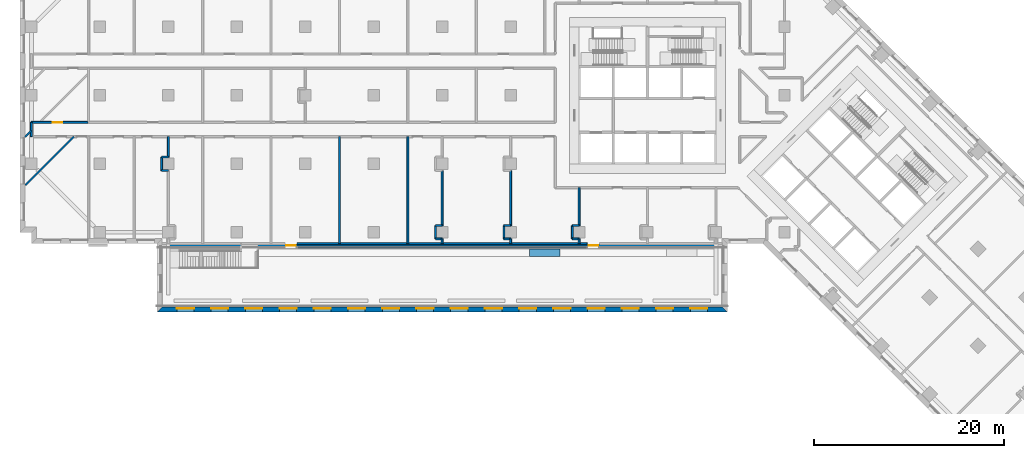
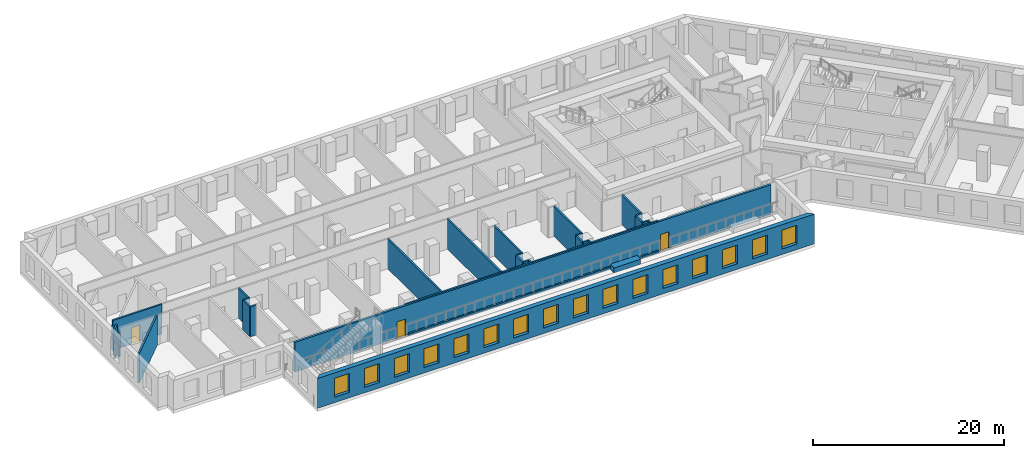
# One storey, part 3 of 14: 30 walls, 16 windows, 3 doors, 19 openings.
"""IFC4 building model written with IfcOpenShell, lengths in metres."""

from ifc_helpers import new_model, si_unit, direction, frame, frame_2d, origin, place, context, subcontext, project, spatial, polyline, rectangle, outline, extrude, material, layer, layer_set, type_object, element, fill, save


model = new_model("IFC4")

# Units and contexts
model_context = context("Model", 3, precision=1e-05, world=origin(), true_north=direction((0.0, 1.0)))
body_context = subcontext(model_context, "Body", "Model", "MODEL_VIEW")
ifc_project = project(units=[si_unit("LENGTHUNIT", "METRE"), si_unit("AREAUNIT", "SQUARE_METRE"), si_unit("VOLUMEUNIT", "CUBIC_METRE"), si_unit("PLANEANGLEUNIT", "RADIAN"), si_unit("MASSUNIT", "GRAM", prefix="KILO")], contexts=[model_context])

# Site, building, storey
site_placement = place(None, origin())
site = spatial("IfcSite", under=ifc_project, at=site_placement, CompositionType="ELEMENT")
building_placement = place(site_placement, origin())
building = spatial("IfcBuilding", under=site, at=building_placement, Name="Windrow Commons", CompositionType="ELEMENT")
storey_placement = place(building_placement, frame((0.0, 0.0, 18.6)))
storey = spatial("IfcBuildingStorey", under=building, at=storey_placement, Name="L04", CompositionType="ELEMENT", Elevation=18.6)

# Wall, openings, windows
ifc_material_1 = material(Name="Brick masonry, red clay brick", Category="masonry")
ifc_layer_1 = layer(ifc_material_1, 0.55)
ifc_layer_set_1 = layer_set([ifc_layer_1], Name="Brick facade wall 550")
wall_type_1 = type_object("IfcWallType", Name="Brick facade wall 550", PredefinedType="SOLIDWALL", material=ifc_layer_set_1)
wall_1_placement = place(storey_placement, frame((13.475, 35.075, 0.0), z_axis=(0.0, 0.0, 1.0), x_axis=(1.0, 0.0, 0.0)))
wall_1 = element("IfcWall", 1, at=wall_1_placement, inside=storey, type_object=wall_type_1, Name="Brick facade wall L04 13", PredefinedType="SOLIDWALL", context=body_context, shape_type="SweptSolid", body=[
    extrude(outline(polyline([(-0.275, -0.275), (59.725, -0.275), (59.175, 0.275), (0.275, 0.275), (-0.275, -0.275)])), origin(), (0.0, 0.0, 1.0), 3.8),
])
opening_1_placement = place(wall_1_placement, frame((1.825, 0.0, 0.7)))
opening_1 = element("IfcOpeningElement", 2, at=opening_1_placement, cuts=wall_1, Name="Opening W2B", PredefinedType="OPENING", context=body_context, shape_type="SweptSolid", body=[
    extrude(rectangle(XDim=1.8, YDim=2.4, at=frame_2d((0.9, 1.2))), frame((0.0, 0.285, 0.0), z_axis=(0.0, -1.0, 0.0), x_axis=(1.0, 0.0, 0.0)), (0.0, 0.0, 1.0), 0.57),
])
opening_2_placement = place(wall_1_placement, frame((5.425, 0.0, 0.7)))
opening_2 = element("IfcOpeningElement", 3, at=opening_2_placement, cuts=wall_1, Name="Opening W2B", PredefinedType="OPENING", context=body_context, shape_type="SweptSolid", body=[
    extrude(rectangle(XDim=1.8, YDim=2.4, at=frame_2d((0.9, 1.2))), frame((0.0, 0.285, 0.0), z_axis=(0.0, -1.0, 0.0), x_axis=(1.0, 0.0, 0.0)), (0.0, 0.0, 1.0), 0.57),
])
opening_3_placement = place(wall_1_placement, frame((9.025, 0.0, 0.7)))
opening_3 = element("IfcOpeningElement", 4, at=opening_3_placement, cuts=wall_1, Name="Opening W2B", PredefinedType="OPENING", context=body_context, shape_type="SweptSolid", body=[
    extrude(rectangle(XDim=1.8, YDim=2.4, at=frame_2d((0.9, 1.2))), frame((0.0, 0.285, 0.0), z_axis=(0.0, -1.0, 0.0), x_axis=(1.0, 0.0, 0.0)), (0.0, 0.0, 1.0), 0.57),
])
opening_4_placement = place(wall_1_placement, frame((12.625, 0.0, 0.7)))
opening_4 = element("IfcOpeningElement", 5, at=opening_4_placement, cuts=wall_1, Name="Opening W2B", PredefinedType="OPENING", context=body_context, shape_type="SweptSolid", body=[
    extrude(rectangle(XDim=1.8, YDim=2.4, at=frame_2d((0.9, 1.2))), frame((0.0, 0.285, 0.0), z_axis=(0.0, -1.0, 0.0), x_axis=(1.0, 0.0, 0.0)), (0.0, 0.0, 1.0), 0.57),
])
opening_5_placement = place(wall_1_placement, frame((16.225, 0.0, 0.7)))
opening_5 = element("IfcOpeningElement", 6, at=opening_5_placement, cuts=wall_1, Name="Opening W2B", PredefinedType="OPENING", context=body_context, shape_type="SweptSolid", body=[
    extrude(rectangle(XDim=1.8, YDim=2.4, at=frame_2d((0.9, 1.2))), frame((0.0, 0.285, 0.0), z_axis=(0.0, -1.0, 0.0), x_axis=(1.0, 0.0, 0.0)), (0.0, 0.0, 1.0), 0.57),
])
opening_6_placement = place(wall_1_placement, frame((19.825, 0.0, 0.7)))
opening_6 = element("IfcOpeningElement", 7, at=opening_6_placement, cuts=wall_1, Name="Opening W2B", PredefinedType="OPENING", context=body_context, shape_type="SweptSolid", body=[
    extrude(rectangle(XDim=1.8, YDim=2.4, at=frame_2d((0.9, 1.2))), frame((0.0, 0.285, 0.0), z_axis=(0.0, -1.0, 0.0), x_axis=(1.0, 0.0, 0.0)), (0.0, 0.0, 1.0), 0.57),
])
opening_7_placement = place(wall_1_placement, frame((23.425, 0.0, 0.7)))
opening_7 = element("IfcOpeningElement", 8, at=opening_7_placement, cuts=wall_1, Name="Opening W2B", PredefinedType="OPENING", context=body_context, shape_type="SweptSolid", body=[
    extrude(rectangle(XDim=1.8, YDim=2.4, at=frame_2d((0.9, 1.2))), frame((0.0, 0.285, 0.0), z_axis=(0.0, -1.0, 0.0), x_axis=(1.0, 0.0, 0.0)), (0.0, 0.0, 1.0), 0.57),
])
opening_8_placement = place(wall_1_placement, frame((27.025, 0.0, 0.7)))
opening_8 = element("IfcOpeningElement", 9, at=opening_8_placement, cuts=wall_1, Name="Opening W2B", PredefinedType="OPENING", context=body_context, shape_type="SweptSolid", body=[
    extrude(rectangle(XDim=1.8, YDim=2.4, at=frame_2d((0.9, 1.2))), frame((0.0, 0.285, 0.0), z_axis=(0.0, -1.0, 0.0), x_axis=(1.0, 0.0, 0.0)), (0.0, 0.0, 1.0), 0.57),
])
opening_9_placement = place(wall_1_placement, frame((30.625, 0.0, 0.7)))
opening_9 = element("IfcOpeningElement", 10, at=opening_9_placement, cuts=wall_1, Name="Opening W2B", PredefinedType="OPENING", context=body_context, shape_type="SweptSolid", body=[
    extrude(rectangle(XDim=1.8, YDim=2.4, at=frame_2d((0.9, 1.2))), frame((0.0, 0.285, 0.0), z_axis=(0.0, -1.0, 0.0), x_axis=(1.0, 0.0, 0.0)), (0.0, 0.0, 1.0), 0.57),
])
opening_10_placement = place(wall_1_placement, frame((34.225, 0.0, 0.7)))
opening_10 = element("IfcOpeningElement", 11, at=opening_10_placement, cuts=wall_1, Name="Opening W2B", PredefinedType="OPENING", context=body_context, shape_type="SweptSolid", body=[
    extrude(rectangle(XDim=1.8, YDim=2.4, at=frame_2d((0.9, 1.2))), frame((0.0, 0.285, 0.0), z_axis=(0.0, -1.0, 0.0), x_axis=(1.0, 0.0, 0.0)), (0.0, 0.0, 1.0), 0.57),
])
opening_11_placement = place(wall_1_placement, frame((37.825, 0.0, 0.7)))
opening_11 = element("IfcOpeningElement", 12, at=opening_11_placement, cuts=wall_1, Name="Opening W2B", PredefinedType="OPENING", context=body_context, shape_type="SweptSolid", body=[
    extrude(rectangle(XDim=1.8, YDim=2.4, at=frame_2d((0.9, 1.2))), frame((0.0, 0.285, 0.0), z_axis=(0.0, -1.0, 0.0), x_axis=(1.0, 0.0, 0.0)), (0.0, 0.0, 1.0), 0.57),
])
opening_12_placement = place(wall_1_placement, frame((41.425, 0.0, 0.7)))
opening_12 = element("IfcOpeningElement", 13, at=opening_12_placement, cuts=wall_1, Name="Opening W2B", PredefinedType="OPENING", context=body_context, shape_type="SweptSolid", body=[
    extrude(rectangle(XDim=1.8, YDim=2.4, at=frame_2d((0.9, 1.2))), frame((0.0, 0.285, 0.0), z_axis=(0.0, -1.0, 0.0), x_axis=(1.0, 0.0, 0.0)), (0.0, 0.0, 1.0), 0.57),
])
opening_13_placement = place(wall_1_placement, frame((45.025, 0.0, 0.7)))
opening_13 = element("IfcOpeningElement", 14, at=opening_13_placement, cuts=wall_1, Name="Opening W2B", PredefinedType="OPENING", context=body_context, shape_type="SweptSolid", body=[
    extrude(rectangle(XDim=1.8, YDim=2.4, at=frame_2d((0.9, 1.2))), frame((0.0, 0.285, 0.0), z_axis=(0.0, -1.0, 0.0), x_axis=(1.0, 0.0, 0.0)), (0.0, 0.0, 1.0), 0.57),
])
opening_14_placement = place(wall_1_placement, frame((48.625, 0.0, 0.7)))
opening_14 = element("IfcOpeningElement", 15, at=opening_14_placement, cuts=wall_1, Name="Opening W2B", PredefinedType="OPENING", context=body_context, shape_type="SweptSolid", body=[
    extrude(rectangle(XDim=1.8, YDim=2.4, at=frame_2d((0.9, 1.2))), frame((0.0, 0.285, 0.0), z_axis=(0.0, -1.0, 0.0), x_axis=(1.0, 0.0, 0.0)), (0.0, 0.0, 1.0), 0.57),
])
opening_15_placement = place(wall_1_placement, frame((52.225, 0.0, 0.7)))
opening_15 = element("IfcOpeningElement", 16, at=opening_15_placement, cuts=wall_1, Name="Opening W2B", PredefinedType="OPENING", context=body_context, shape_type="SweptSolid", body=[
    extrude(rectangle(XDim=1.8, YDim=2.4, at=frame_2d((0.9, 1.2))), frame((0.0, 0.285, 0.0), z_axis=(0.0, -1.0, 0.0), x_axis=(1.0, 0.0, 0.0)), (0.0, 0.0, 1.0), 0.57),
])
opening_16_placement = place(wall_1_placement, frame((55.825, 0.0, 0.7)))
opening_16 = element("IfcOpeningElement", 17, at=opening_16_placement, cuts=wall_1, Name="Opening W2B", PredefinedType="OPENING", context=body_context, shape_type="SweptSolid", body=[
    extrude(rectangle(XDim=1.8, YDim=2.4, at=frame_2d((0.9, 1.2))), frame((0.0, 0.285, 0.0), z_axis=(0.0, -1.0, 0.0), x_axis=(1.0, 0.0, 0.0)), (0.0, 0.0, 1.0), 0.57),
])
ifc_material_2 = material(Name="Clear float glass in anodised aluminium frame", Category="aluminium")
window_type = type_object("IfcWindowType", Name="Window W2 podium 1800x2400", PartitioningType="SINGLE_PANEL", PredefinedType="WINDOW", material=ifc_material_2)
window_1_placement = place(opening_1_placement, origin())
window_1 = element("IfcWindow", 18, at=window_1_placement, inside=storey, type_object=window_type, Name="Window L04 13.1", OverallHeight=2.4, OverallWidth=1.8, PartitioningType="SINGLE_PANEL", PredefinedType="WINDOW", context=body_context, shape_type="SweptSolid", body=[
    extrude(rectangle(XDim=1.8, YDim=2.4, at=frame_2d((0.9, 1.2))), frame((0.0, 0.155, 0.0), z_axis=(0.0, -1.0, 0.0), x_axis=(1.0, 0.0, 0.0)), (0.0, 0.0, 1.0), 0.06),
])
fill(opening_1, window_1)
window_2_placement = place(opening_2_placement, origin())
window_2 = element("IfcWindow", 19, at=window_2_placement, inside=storey, type_object=window_type, Name="Window L04 13.2", OverallHeight=2.4, OverallWidth=1.8, PartitioningType="SINGLE_PANEL", PredefinedType="WINDOW", context=body_context, shape_type="SweptSolid", body=[
    extrude(rectangle(XDim=1.8, YDim=2.4, at=frame_2d((0.9, 1.2))), frame((0.0, 0.155, 0.0), z_axis=(0.0, -1.0, 0.0), x_axis=(1.0, 0.0, 0.0)), (0.0, 0.0, 1.0), 0.06),
])
fill(opening_2, window_2)
window_3_placement = place(opening_3_placement, origin())
window_3 = element("IfcWindow", 20, at=window_3_placement, inside=storey, type_object=window_type, Name="Window L04 13.3", OverallHeight=2.4, OverallWidth=1.8, PartitioningType="SINGLE_PANEL", PredefinedType="WINDOW", context=body_context, shape_type="SweptSolid", body=[
    extrude(rectangle(XDim=1.8, YDim=2.4, at=frame_2d((0.9, 1.2))), frame((0.0, 0.155, 0.0), z_axis=(0.0, -1.0, 0.0), x_axis=(1.0, 0.0, 0.0)), (0.0, 0.0, 1.0), 0.06),
])
fill(opening_3, window_3)
window_4_placement = place(opening_4_placement, origin())
window_4 = element("IfcWindow", 21, at=window_4_placement, inside=storey, type_object=window_type, Name="Window L04 13.4", OverallHeight=2.4, OverallWidth=1.8, PartitioningType="SINGLE_PANEL", PredefinedType="WINDOW", context=body_context, shape_type="SweptSolid", body=[
    extrude(rectangle(XDim=1.8, YDim=2.4, at=frame_2d((0.9, 1.2))), frame((0.0, 0.155, 0.0), z_axis=(0.0, -1.0, 0.0), x_axis=(1.0, 0.0, 0.0)), (0.0, 0.0, 1.0), 0.06),
])
fill(opening_4, window_4)
window_5_placement = place(opening_5_placement, origin())
window_5 = element("IfcWindow", 22, at=window_5_placement, inside=storey, type_object=window_type, Name="Window L04 13.5", OverallHeight=2.4, OverallWidth=1.8, PartitioningType="SINGLE_PANEL", PredefinedType="WINDOW", context=body_context, shape_type="SweptSolid", body=[
    extrude(rectangle(XDim=1.8, YDim=2.4, at=frame_2d((0.9, 1.2))), frame((0.0, 0.155, 0.0), z_axis=(0.0, -1.0, 0.0), x_axis=(1.0, 0.0, 0.0)), (0.0, 0.0, 1.0), 0.06),
])
fill(opening_5, window_5)
window_6_placement = place(opening_6_placement, origin())
window_6 = element("IfcWindow", 23, at=window_6_placement, inside=storey, type_object=window_type, Name="Window L04 13.6", OverallHeight=2.4, OverallWidth=1.8, PartitioningType="SINGLE_PANEL", PredefinedType="WINDOW", context=body_context, shape_type="SweptSolid", body=[
    extrude(rectangle(XDim=1.8, YDim=2.4, at=frame_2d((0.9, 1.2))), frame((0.0, 0.155, 0.0), z_axis=(0.0, -1.0, 0.0), x_axis=(1.0, 0.0, 0.0)), (0.0, 0.0, 1.0), 0.06),
])
fill(opening_6, window_6)
window_7_placement = place(opening_7_placement, origin())
window_7 = element("IfcWindow", 24, at=window_7_placement, inside=storey, type_object=window_type, Name="Window L04 13.7", OverallHeight=2.4, OverallWidth=1.8, PartitioningType="SINGLE_PANEL", PredefinedType="WINDOW", context=body_context, shape_type="SweptSolid", body=[
    extrude(rectangle(XDim=1.8, YDim=2.4, at=frame_2d((0.9, 1.2))), frame((0.0, 0.155, 0.0), z_axis=(0.0, -1.0, 0.0), x_axis=(1.0, 0.0, 0.0)), (0.0, 0.0, 1.0), 0.06),
])
fill(opening_7, window_7)
window_8_placement = place(opening_8_placement, origin())
window_8 = element("IfcWindow", 25, at=window_8_placement, inside=storey, type_object=window_type, Name="Window L04 13.8", OverallHeight=2.4, OverallWidth=1.8, PartitioningType="SINGLE_PANEL", PredefinedType="WINDOW", context=body_context, shape_type="SweptSolid", body=[
    extrude(rectangle(XDim=1.8, YDim=2.4, at=frame_2d((0.9, 1.2))), frame((0.0, 0.155, 0.0), z_axis=(0.0, -1.0, 0.0), x_axis=(1.0, 0.0, 0.0)), (0.0, 0.0, 1.0), 0.06),
])
fill(opening_8, window_8)
window_9_placement = place(opening_9_placement, origin())
window_9 = element("IfcWindow", 26, at=window_9_placement, inside=storey, type_object=window_type, Name="Window L04 13.9", OverallHeight=2.4, OverallWidth=1.8, PartitioningType="SINGLE_PANEL", PredefinedType="WINDOW", context=body_context, shape_type="SweptSolid", body=[
    extrude(rectangle(XDim=1.8, YDim=2.4, at=frame_2d((0.9, 1.2))), frame((0.0, 0.155, 0.0), z_axis=(0.0, -1.0, 0.0), x_axis=(1.0, 0.0, 0.0)), (0.0, 0.0, 1.0), 0.06),
])
fill(opening_9, window_9)
window_10_placement = place(opening_10_placement, origin())
window_10 = element("IfcWindow", 27, at=window_10_placement, inside=storey, type_object=window_type, Name="Window L04 13.10", OverallHeight=2.4, OverallWidth=1.8, PartitioningType="SINGLE_PANEL", PredefinedType="WINDOW", context=body_context, shape_type="SweptSolid", body=[
    extrude(rectangle(XDim=1.8, YDim=2.4, at=frame_2d((0.9, 1.2))), frame((0.0, 0.155, 0.0), z_axis=(0.0, -1.0, 0.0), x_axis=(1.0, 0.0, 0.0)), (0.0, 0.0, 1.0), 0.06),
])
fill(opening_10, window_10)
window_11_placement = place(opening_11_placement, origin())
window_11 = element("IfcWindow", 28, at=window_11_placement, inside=storey, type_object=window_type, Name="Window L04 13.11", OverallHeight=2.4, OverallWidth=1.8, PartitioningType="SINGLE_PANEL", PredefinedType="WINDOW", context=body_context, shape_type="SweptSolid", body=[
    extrude(rectangle(XDim=1.8, YDim=2.4, at=frame_2d((0.9, 1.2))), frame((0.0, 0.155, 0.0), z_axis=(0.0, -1.0, 0.0), x_axis=(1.0, 0.0, 0.0)), (0.0, 0.0, 1.0), 0.06),
])
fill(opening_11, window_11)
window_12_placement = place(opening_12_placement, origin())
window_12 = element("IfcWindow", 29, at=window_12_placement, inside=storey, type_object=window_type, Name="Window L04 13.12", OverallHeight=2.4, OverallWidth=1.8, PartitioningType="SINGLE_PANEL", PredefinedType="WINDOW", context=body_context, shape_type="SweptSolid", body=[
    extrude(rectangle(XDim=1.8, YDim=2.4, at=frame_2d((0.9, 1.2))), frame((0.0, 0.155, 0.0), z_axis=(0.0, -1.0, 0.0), x_axis=(1.0, 0.0, 0.0)), (0.0, 0.0, 1.0), 0.06),
])
fill(opening_12, window_12)
window_13_placement = place(opening_13_placement, origin())
window_13 = element("IfcWindow", 30, at=window_13_placement, inside=storey, type_object=window_type, Name="Window L04 13.13", OverallHeight=2.4, OverallWidth=1.8, PartitioningType="SINGLE_PANEL", PredefinedType="WINDOW", context=body_context, shape_type="SweptSolid", body=[
    extrude(rectangle(XDim=1.8, YDim=2.4, at=frame_2d((0.9, 1.2))), frame((0.0, 0.155, 0.0), z_axis=(0.0, -1.0, 0.0), x_axis=(1.0, 0.0, 0.0)), (0.0, 0.0, 1.0), 0.06),
])
fill(opening_13, window_13)
window_14_placement = place(opening_14_placement, origin())
window_14 = element("IfcWindow", 31, at=window_14_placement, inside=storey, type_object=window_type, Name="Window L04 13.14", OverallHeight=2.4, OverallWidth=1.8, PartitioningType="SINGLE_PANEL", PredefinedType="WINDOW", context=body_context, shape_type="SweptSolid", body=[
    extrude(rectangle(XDim=1.8, YDim=2.4, at=frame_2d((0.9, 1.2))), frame((0.0, 0.155, 0.0), z_axis=(0.0, -1.0, 0.0), x_axis=(1.0, 0.0, 0.0)), (0.0, 0.0, 1.0), 0.06),
])
fill(opening_14, window_14)
window_15_placement = place(opening_15_placement, origin())
window_15 = element("IfcWindow", 32, at=window_15_placement, inside=storey, type_object=window_type, Name="Window L04 13.15", OverallHeight=2.4, OverallWidth=1.8, PartitioningType="SINGLE_PANEL", PredefinedType="WINDOW", context=body_context, shape_type="SweptSolid", body=[
    extrude(rectangle(XDim=1.8, YDim=2.4, at=frame_2d((0.9, 1.2))), frame((0.0, 0.155, 0.0), z_axis=(0.0, -1.0, 0.0), x_axis=(1.0, 0.0, 0.0)), (0.0, 0.0, 1.0), 0.06),
])
fill(opening_15, window_15)
window_16_placement = place(opening_16_placement, origin())
window_16 = element("IfcWindow", 33, at=window_16_placement, inside=storey, type_object=window_type, Name="Window L04 13.16", OverallHeight=2.4, OverallWidth=1.8, PartitioningType="SINGLE_PANEL", PredefinedType="WINDOW", context=body_context, shape_type="SweptSolid", body=[
    extrude(rectangle(XDim=1.8, YDim=2.4, at=frame_2d((0.9, 1.2))), frame((0.0, 0.155, 0.0), z_axis=(0.0, -1.0, 0.0), x_axis=(1.0, 0.0, 0.0)), (0.0, 0.0, 1.0), 0.06),
])
fill(opening_16, window_16)

# Wall, opening, door
ifc_material_3 = material(Name="Blockwork partition", Category="masonry")
ifc_layer_2 = layer(ifc_material_3, 0.2)
ifc_layer_set_2 = layer_set([ifc_layer_2], Name="IW-CORRIDOR-200")
wall_type_2 = type_object("IfcWallType", Name="IW-CORRIDOR-200", PredefinedType="PARTITIONING", material=ifc_layer_set_2)
wall_2_placement = place(storey_placement, frame((0.0, 54.75, 0.0), z_axis=(0.0, 0.0, 1.0), x_axis=(1.0, 0.0, 0.0)))
wall_2 = element("IfcWall", 34, at=wall_2_placement, inside=storey, type_object=wall_type_2, Name="W-L04-W041", PredefinedType="PARTITIONING", context=body_context, shape_type="SweptSolid", body=[
    extrude(rectangle(XDim=5.948, YDim=0.2, at=frame_2d((2.974, 0.0))), origin(), (0.0, 0.0, 1.0), 3.8),
])
opening_17_placement = place(wall_2_placement, frame((2.2502, 0.0, 0.0)))
opening_17 = element("IfcOpeningElement", 35, at=opening_17_placement, cuts=wall_2, Name="Opening D310F", PredefinedType="OPENING", context=body_context, shape_type="SweptSolid", body=[
    extrude(rectangle(XDim=1.0, YDim=2.1, at=frame_2d((0.5, 1.05))), frame((0.0, 0.11, 0.0), z_axis=(0.0, -1.0, 0.0), x_axis=(1.0, 0.0, 0.0)), (0.0, 0.0, 1.0), 0.22),
])
ifc_material_4 = material(Name="Timber door leaf", Category="wood")
door_type_1 = type_object("IfcDoorType", Name="DT-AMENITY-1000", OperationType="SINGLE_SWING_LEFT", PredefinedType="DOOR", material=ifc_material_4)
door_1_placement = place(opening_17_placement, origin())
door_1 = element("IfcDoor", 36, at=door_1_placement, inside=storey, type_object=door_type_1, Name="D-L04-D047", OperationType="SINGLE_SWING_LEFT", OverallHeight=2.1, OverallWidth=1.0, PredefinedType="DOOR", context=body_context, shape_type="SweptSolid", body=[
    extrude(rectangle(XDim=1.0, YDim=2.1, at=frame_2d((0.5, 1.05))), frame((0.0, 0.025, 0.0), z_axis=(0.0, -1.0, 0.0), x_axis=(1.0, 0.0, 0.0)), (0.0, 0.0, 1.0), 0.05),
])
fill(opening_17, door_1)

# Walls
wall_3_placement = place(storey_placement, frame((0.0, 53.25, 0.0), z_axis=(0.0, 0.0, 1.0), x_axis=(0.0, 1.0, 0.0)))
element("IfcWall", 37, at=wall_3_placement, inside=storey, type_object=wall_type_2, Name="W-L04-W095", PredefinedType="PARTITIONING", context=body_context, shape_type="SweptSolid", body=[
    extrude(rectangle(XDim=1.5, YDim=0.2, at=frame_2d((0.75, 0.0))), origin(), (0.0, 0.0, 1.0), 3.2),
])
ifc_material_5 = material(Name="Blockwork partition", Category="masonry")
ifc_layer_3 = layer(ifc_material_5, 0.2)
ifc_layer_set_3 = layer_set([ifc_layer_3], Name="IW-PARTY-200")
wall_type_3 = type_object("IfcWallType", Name="IW-PARTY-200", PredefinedType="PARTITIONING", material=ifc_layer_set_3)
for number, where, z_axis, x_axis, name in (
    (38, (32.4, 42.0, 0.0), (0.0, 0.0, 1.0), (0.0, 1.0, 0.0), "W-L04-W011"),
    (39, (39.6, 42.0, 0.0), (0.0, 0.0, 1.0), (0.0, 1.0, 0.0), "W-L04-W012"),
):
    element("IfcWall", number, at=place(storey_placement, frame(where, z_axis=z_axis, x_axis=x_axis)), inside=storey, type_object=wall_type_3, Name=name, PredefinedType="PARTITIONING", context=body_context, shape_type="SweptSolid", body=[
        extrude(rectangle(XDim=11.25, YDim=0.2, at=frame_2d((5.625, 0.0))), origin(), (0.0, 0.0, 1.0), 3.8),
    ])
wall_4_placement = place(storey_placement, frame((-0.65, 48.1545, 0.0), z_axis=(0.0, 0.0, 1.0), x_axis=(0.7070998443, 0.707113718, 0.0)))
element("IfcWall", 40, at=wall_4_placement, inside=storey, type_object=wall_type_3, Name="W-L04-W038", PredefinedType="PARTITIONING", context=body_context, shape_type="SweptSolid", body=[
    extrude(rectangle(XDim=7.2079, YDim=0.2, at=frame_2d((3.604, 0.0))), origin(), (0.0, 0.0, 1.0), 3.8),
])
for number, where, z_axis, x_axis, name in (
    (41, (43.2, 43.906, 0.0), (0.0, 0.0, 1.0), (0.0, 1.0, 0.0), "W-L04-W044"),
    (42, (50.4, 43.906, 0.0), (0.0, 0.0, 1.0), (0.0, 1.0, 0.0), "W-L04-W045"),
):
    element("IfcWall", number, at=place(storey_placement, frame(where, z_axis=z_axis, x_axis=x_axis)), inside=storey, type_object=wall_type_3, Name=name, PredefinedType="PARTITIONING", context=body_context, shape_type="SweptSolid", body=[
        extrude(rectangle(XDim=5.788, YDim=0.2, at=frame_2d((2.894, 0.0))), origin(), (0.0, 0.0, 1.0), 3.8),
    ])
wall_5_placement = place(storey_placement, frame((57.6, 43.906, 0.0), z_axis=(0.0, 0.0, 1.0), x_axis=(0.0, 1.0, 0.0)))
element("IfcWall", 43, at=wall_5_placement, inside=storey, type_object=wall_type_3, Name="W-L04-W065", PredefinedType="PARTITIONING", context=body_context, shape_type="SweptSolid", body=[
    extrude(rectangle(XDim=3.994, YDim=0.2, at=frame_2d((1.997, 0.0))), origin(), (0.0, 0.0, 1.0), 3.8),
])
wall_6_placement = place(storey_placement, frame((14.4, 51.106, 0.0), z_axis=(0.0, 0.0, 1.0), x_axis=(0.0, 1.0, 0.0)))
element("IfcWall", 44, at=wall_6_placement, inside=storey, type_object=wall_type_3, Name="W-L04-W083", PredefinedType="PARTITIONING", context=body_context, shape_type="SweptSolid", body=[
    extrude(rectangle(XDim=2.144, YDim=0.2, at=frame_2d((1.072, 0.0))), origin(), (0.0, 0.0, 1.0), 3.8),
])
wall_7_placement = place(storey_placement, frame((13.7, 49.694, 0.0), z_axis=(0.0, 0.0, 1.0), x_axis=(0.0, 1.0, 0.0)))
element("IfcWall", 45, at=wall_7_placement, inside=storey, type_object=wall_type_3, Name="W-L04-W100", PredefinedType="PARTITIONING", context=body_context, shape_type="SweptSolid", body=[
    extrude(rectangle(XDim=1.412, YDim=0.2, at=frame_2d((0.706, 0.0))), origin(), (0.0, 0.0, 1.0), 3.8),
])
for number, where, z_axis, x_axis, name in (
    (46, (42.5, 42.496, 0.0), (0.0, 0.0, 1.0), (0.0, 1.0, 0.0), "W-L04-W106"),
    (47, (49.7, 42.496, 0.0), (0.0, 0.0, 1.0), (0.0, 1.0, 0.0), "W-L04-W107"),
    (48, (56.9, 42.496, 0.0), (0.0, 0.0, 1.0), (0.0, 1.0, 0.0), "W-L04-W108"),
):
    element("IfcWall", number, at=place(storey_placement, frame(where, z_axis=z_axis, x_axis=x_axis)), inside=storey, type_object=wall_type_3, Name=name, PredefinedType="PARTITIONING", context=body_context, shape_type="SweptSolid", body=[
        extrude(rectangle(XDim=1.41, YDim=0.2, at=frame_2d((0.705, 0.0))), origin(), (0.0, 0.0, 1.0), 3.8),
    ])
wall_8_placement = place(storey_placement, frame((-0.65, 53.2457, 0.0), z_axis=(0.0, 0.0, 1.0), x_axis=(0.7071612431, 0.707052315, 0.0)))
element("IfcWall", 49, at=wall_8_placement, inside=storey, type_object=wall_type_3, Name="W-L04-W115", PredefinedType="PARTITIONING", context=body_context, shape_type="SweptSolid", body=[
    extrude(rectangle(XDim=0.918, YDim=0.2, at=frame_2d((0.459, 0.0))), origin(), (0.0, 0.0, 1.0), 3.8),
])
for number, where, z_axis, x_axis, name in (
    (50, (42.5, 43.91, 0.0), (0.0, 0.0, 1.0), (1.0, 0.0, 0.0), "W-L04-W118"),
    (51, (56.9, 43.91, 0.0), (0.0, 0.0, 1.0), (1.0, 0.0, 0.0), "W-L04-W119"),
    (52, (42.5, 42.5, 0.0), (0.0, 0.0, 1.0), (1.0, 0.0, 0.0), "W-L04-W122"),
    (53, (56.9, 42.5, 0.0), (0.0, 0.0, 1.0), (1.0, 0.0, 0.0), "W-L04-W123"),
    (54, (13.7, 51.11, 0.0), (0.0, 0.0, 1.0), (1.0, 0.0, 0.0), "W-L04-W129"),
    (55, (13.7, 49.69, 0.0), (0.0, 0.0, 1.0), (1.0, 0.0, 0.0), "W-L04-W130"),
    (56, (49.7, 43.91, 0.0), (0.0, 0.0, 1.0), (1.0, 0.0, 0.0), "W-L04-W137"),
    (57, (49.7, 42.5, 0.0), (0.0, 0.0, 1.0), (1.0, 0.0, 0.0), "W-L04-W138"),
):
    element("IfcWall", number, at=place(storey_placement, frame(where, z_axis=z_axis, x_axis=x_axis)), inside=storey, type_object=wall_type_3, Name=name, PredefinedType="PARTITIONING", context=body_context, shape_type="SweptSolid", body=[
        extrude(rectangle(XDim=0.7, YDim=0.2, at=frame_2d((0.35, 0.0))), origin(), (0.0, 0.0, 1.0), 3.8),
    ])
for number, where, z_axis, x_axis, name in (
    (58, (43.2, 42.0, 0.0), (0.0, 0.0, 1.0), (0.0, 1.0, 0.0), "W-L04-W152"),
    (59, (50.4, 42.0, 0.0), (0.0, 0.0, 1.0), (0.0, 1.0, 0.0), "W-L04-W153"),
    (60, (57.6, 42.0, 0.0), (0.0, 0.0, 1.0), (0.0, 1.0, 0.0), "W-L04-W154"),
):
    element("IfcWall", number, at=place(storey_placement, frame(where, z_axis=z_axis, x_axis=x_axis)), inside=storey, type_object=wall_type_3, Name=name, PredefinedType="PARTITIONING", context=body_context, shape_type="SweptSolid", body=[
        extrude(rectangle(XDim=0.496, YDim=0.2, at=frame_2d((0.248, 0.0))), origin(), (0.0, 0.0, 1.0), 3.8),
    ])
wall_9_placement = place(storey_placement, frame((27.95, 42.0, 0.0), z_axis=(0.0, 0.0, 1.0), x_axis=(1.0, 0.0, 0.0)))
element("IfcWall", 61, at=wall_9_placement, inside=storey, type_object=wall_type_3, Name="W-L04-W000", PredefinedType="PARTITIONING", context=body_context, shape_type="SweptSolid", body=[
    extrude(outline(polyline([(0.0, -0.1), (30.5, -0.1), (30.5, 0.1), (0.0, 0.1), (0.0, -0.1)])), origin(), (0.0, 0.0, 1.0), 3.8),
])
ifc_material_6 = material(Name="Concrete C30/37 planter wall", Category="concrete")
ifc_layer_4 = layer(ifc_material_6, 0.8)
ifc_layer_set_4 = layer_set([ifc_layer_4], Name="Planter 800x600")
wall_type_4 = type_object("IfcWallType", Name="Planter 800x600", PredefinedType="SOLIDWALL", material=ifc_layer_set_4)
wall_10_placement = place(storey_placement, frame((55.6068, 41.05, 0.0), z_axis=(0.0, 0.0, 1.0), x_axis=(-1.0, 0.0, 0.0)))
element("IfcWall", 62, at=wall_10_placement, inside=storey, type_object=wall_type_4, Name="PLANTER TR-L04-1.1", PredefinedType="SOLIDWALL", context=body_context, shape_type="SweptSolid", body=[
    extrude(outline(polyline([(0.0, -0.4), (3.2136, -0.4), (3.2136, 0.4), (0.0, 0.4), (0.0, -0.4)])), origin(), (0.0, 0.0, 1.0), 0.65),
])

# Wall, openings, doors
ifc_material_7 = material(Name="Facing brick on concrete block", Category="masonry")
ifc_layer_5 = layer(ifc_material_7, 0.25)
ifc_layer_set_5 = layer_set([ifc_layer_5], Name="Terrace back wall 250")
wall_type_5 = type_object("IfcWallType", Name="Terrace back wall 250", PredefinedType="SOLIDWALL", material=ifc_layer_set_5)
wall_11_placement = place(storey_placement, frame((71.925, 41.825, 0.0), z_axis=(0.0, 0.0, 1.0), x_axis=(-1.0, 0.0, 0.0)))
wall_11 = element("IfcWall", 63, at=wall_11_placement, inside=storey, type_object=wall_type_5, Name="Terrace back wall TR-L04-1.1", PredefinedType="SOLIDWALL", context=body_context, shape_type="SweptSolid", body=[
    extrude(rectangle(XDim=57.45, YDim=0.25, at=frame_2d((28.725, 0.0))), origin(), (0.0, 0.0, 1.0), 3.8),
])
opening_18_placement = place(wall_11_placement, frame((12.325, 0.0, 0.0)))
opening_18 = element("IfcOpeningElement", 64, at=opening_18_placement, cuts=wall_11, Name="Opening D12", PredefinedType="OPENING", context=body_context, shape_type="SweptSolid", body=[
    extrude(rectangle(XDim=1.0, YDim=2.1, at=frame_2d((0.5, 1.05))), frame((0.0, 0.135, 0.0), z_axis=(0.0, -1.0, 0.0), x_axis=(1.0, 0.0, 0.0)), (0.0, 0.0, 1.0), 0.27),
])
opening_19_placement = place(wall_11_placement, frame((44.125, 0.0, 0.0)))
opening_19 = element("IfcOpeningElement", 65, at=opening_19_placement, cuts=wall_11, Name="Opening D12", PredefinedType="OPENING", context=body_context, shape_type="SweptSolid", body=[
    extrude(rectangle(XDim=1.0, YDim=2.1, at=frame_2d((0.5, 1.05))), frame((0.0, 0.135, 0.0), z_axis=(0.0, -1.0, 0.0), x_axis=(1.0, 0.0, 0.0)), (0.0, 0.0, 1.0), 0.27),
])
ifc_material_8 = material(Name="Timber door leaf in an aluminium frame", Category="wood")
door_type_2 = type_object("IfcDoorType", Name="Terrace lounge door 1000x2100", OperationType="SINGLE_SWING_LEFT", PredefinedType="DOOR", material=ifc_material_8)
door_2_placement = place(opening_18_placement, origin())
door_2 = element("IfcDoor", 66, at=door_2_placement, inside=storey, type_object=door_type_2, Name="Terrace lounge door TR-L04-1.2.1", OperationType="SINGLE_SWING_LEFT", OverallHeight=2.1, OverallWidth=1.0, PredefinedType="DOOR", context=body_context, shape_type="SweptSolid", body=[
    extrude(rectangle(XDim=1.0, YDim=2.1, at=frame_2d((0.5, 1.05))), frame((0.0, 0.025, 0.0), z_axis=(0.0, -1.0, 0.0), x_axis=(1.0, 0.0, 0.0)), (0.0, 0.0, 1.0), 0.05),
])
fill(opening_18, door_2)
door_3_placement = place(opening_19_placement, origin())
door_3 = element("IfcDoor", 67, at=door_3_placement, inside=storey, type_object=door_type_2, Name="Terrace lounge door TR-L04-1.2.2", OperationType="SINGLE_SWING_LEFT", OverallHeight=2.1, OverallWidth=1.0, PredefinedType="DOOR", context=body_context, shape_type="SweptSolid", body=[
    extrude(rectangle(XDim=1.0, YDim=2.1, at=frame_2d((0.5, 1.05))), frame((0.0, 0.025, 0.0), z_axis=(0.0, -1.0, 0.0), x_axis=(1.0, 0.0, 0.0)), (0.0, 0.0, 1.0), 0.05),
])
fill(opening_19, door_3)

# Wall
ifc_material_9 = material(Name="Brick masonry, red clay brick", Category="masonry")
ifc_layer_6 = layer(ifc_material_9, 0.2)
ifc_layer_set_6 = layer_set([ifc_layer_6], Name="Terrace edge parapet 200")
wall_type_6 = type_object("IfcWallType", Name="Terrace edge parapet 200", PredefinedType="PARAPET", material=ifc_layer_set_6)
wall_12_placement = place(storey_placement, frame((58.33, 41.6, 0.0), z_axis=(0.0, 0.0, 1.0), x_axis=(-1.0, 0.0, 0.0)))
element("IfcWall", 68, at=wall_12_placement, inside=storey, type_object=wall_type_6, Name="Terrace parapet TR-L04-1.1.1", PredefinedType="PARAPET", context=body_context, shape_type="SweptSolid", body=[
    extrude(outline(polyline([(0.0, -0.1), (30.26, -0.1), (30.26, 0.1), (0.0, 0.1), (0.0, -0.1)])), origin(), (0.0, 0.0, 1.0), 0.25),
])

save(model, "model.ifc")
